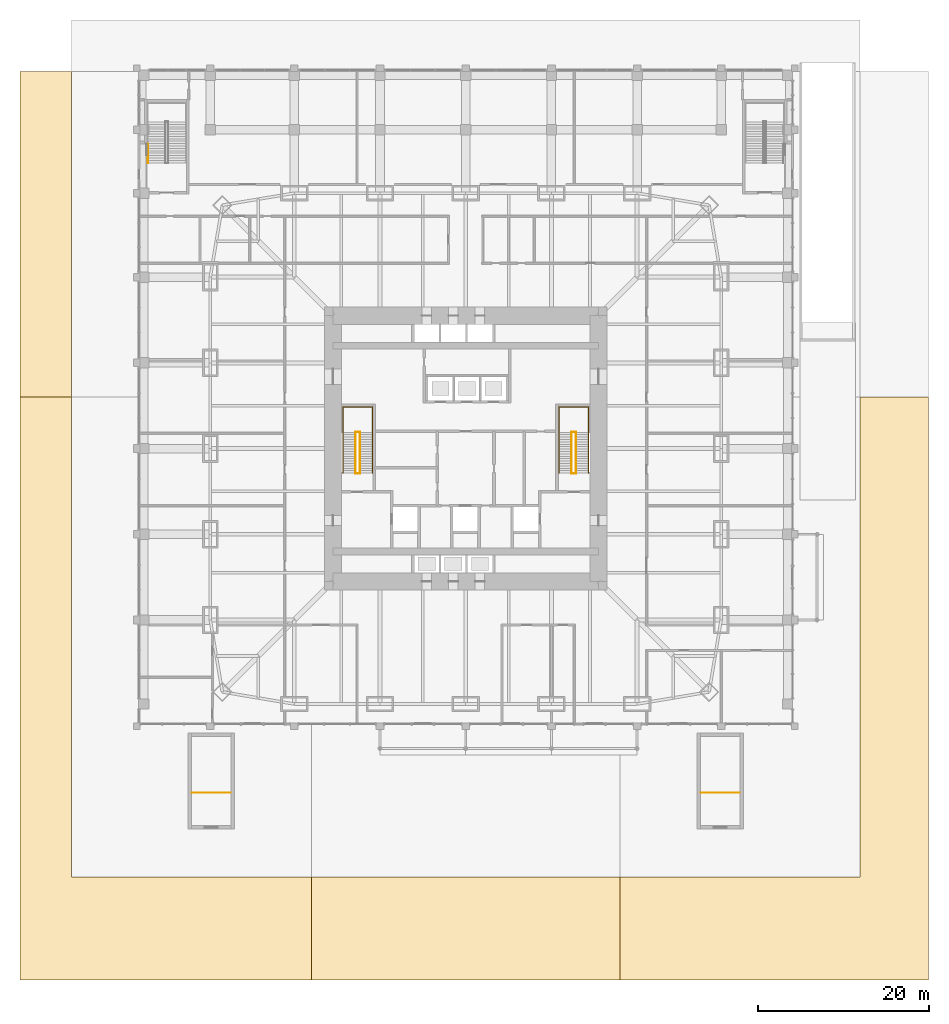
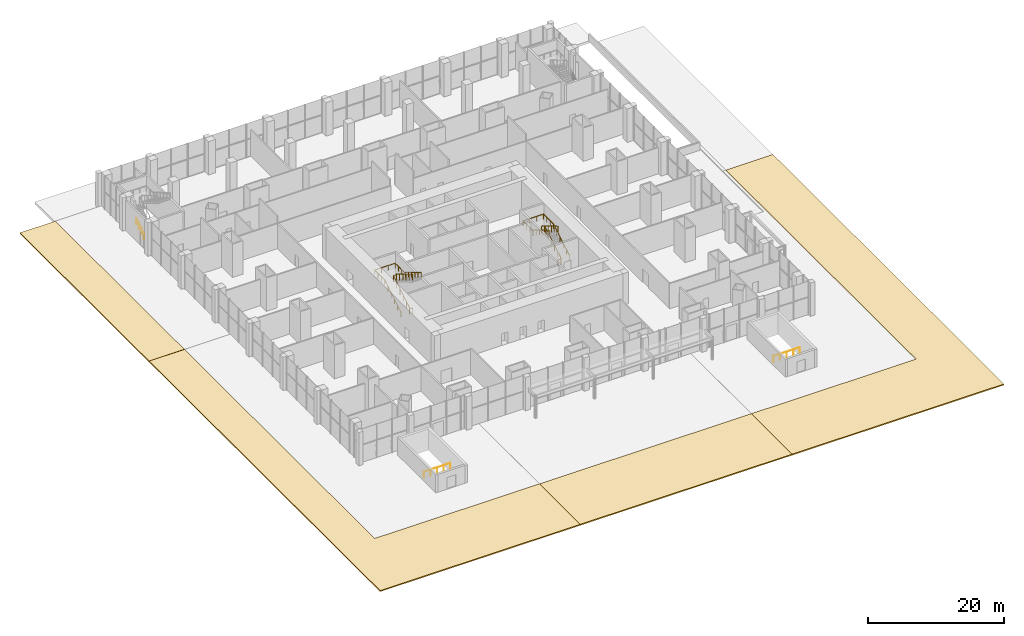
# One storey, part 29 of 31: 7 railings, 4 coverings.
"""IFC4 building model written with IfcOpenShell, lengths in metres."""

from ifc_helpers import new_model, si_unit, direction, frame, origin, origin_2d, place, context, subcontext, project, spatial, polyline, circle, outline, extrude, material, layer, layer_set, type_object, element, save


model = new_model("IFC4")

# Units and contexts
model_context = context("Model", 3, precision=1e-05, world=origin(), true_north=direction((0.0, 1.0)))
body_context = subcontext(model_context, "Body", "Model", "MODEL_VIEW")
ifc_project = project(units=[si_unit("LENGTHUNIT", "METRE"), si_unit("AREAUNIT", "SQUARE_METRE"), si_unit("VOLUMEUNIT", "CUBIC_METRE"), si_unit("PLANEANGLEUNIT", "RADIAN"), si_unit("MASSUNIT", "GRAM", prefix="KILO")], contexts=[model_context])

# Site, building, storey
site_placement = place(None, origin())
site = spatial("IfcSite", under=ifc_project, at=site_placement, CompositionType="ELEMENT")
building_placement = place(site_placement, origin())
building = spatial("IfcBuilding", under=site, at=building_placement, Name="Khuree Lantern Residences", CompositionType="ELEMENT")
storey_placement = place(building_placement, origin())
storey = spatial("IfcBuildingStorey", under=building, at=storey_placement, Name="L00", CompositionType="ELEMENT", Elevation=0.0)

# Coverings
ifc_material_1 = material(Name="Flamed granite setts on a bound sub-base", Category="masonry")
ifc_layer = layer(ifc_material_1, 0.199951171875)
ifc_layer_set = layer_set([ifc_layer], Name="PLAZA PAVING ON GRADE")
covering_type = type_object("IfcCoveringType", Name="PLAZA PAVING ON GRADE", PredefinedType="USERDEFINED", material=ifc_layer_set)
covering_1_placement = place(storey_placement, frame((0.0, 0.0, -0.199951171875)))
element("IfcCovering", 1, at=covering_1_placement, inside=storey, type_object=covering_type, Name="PLAZA PAVING BAY 7", ObjectType="PAVING", PredefinedType="USERDEFINED", context=body_context, shape_type="SweptSolid", body=[
    extrude(outline(polyline([(-17.9951171875, -62.0), (-17.9951171875, -50.0), (17.9951171875, -50.0), (17.9951171875, -62.0), (-17.9951171875, -62.0)])), origin(), (0.0, 0.0, 1.0), 0.199951171875),
])
covering_2_placement = place(storey_placement, frame((0.0, 0.0, -0.199951171875)))
element("IfcCovering", 2, at=covering_2_placement, inside=storey, type_object=covering_type, Name="PLAZA PAVING BAY 8", ObjectType="PAVING", PredefinedType="USERDEFINED", context=body_context, shape_type="SweptSolid", body=[
    extrude(outline(polyline([(-52.0, -62.0), (-52.0, 5.9951171875), (-46.0, 5.9951171875), (-46.0, -50.0), (-18.0048828125, -50.0), (-18.0048828125, -62.0), (-52.0, -62.0)])), origin(), (0.0, 0.0, 1.0), 0.199951171875),
])
covering_3_placement = place(storey_placement, frame((0.0, 0.0, -0.199951171875)))
element("IfcCovering", 3, at=covering_3_placement, inside=storey, type_object=covering_type, Name="PLAZA PAVING BAY 9", ObjectType="PAVING", PredefinedType="USERDEFINED", context=body_context, shape_type="SweptSolid", body=[
    extrude(outline(polyline([(54.0, 5.9951171875), (54.0, -62.0), (18.0048828125, -62.0), (18.0048828125, -50.0), (46.0, -50.0), (46.0, 5.9951171875), (54.0, 5.9951171875)])), origin(), (0.0, 0.0, 1.0), 0.199951171875),
])
covering_4_placement = place(storey_placement, frame((0.0, 0.0, -0.199951171875)))
element("IfcCovering", 4, at=covering_4_placement, inside=storey, type_object=covering_type, Name="PLAZA PAVING BAY 10", ObjectType="PAVING", PredefinedType="USERDEFINED", context=body_context, shape_type="SweptSolid", body=[
    extrude(outline(polyline([(-52.0, 44.0), (-46.0, 44.0), (-46.0, 6.0048828125), (-52.0, 6.0048828125), (-52.0, 44.0)])), origin(), (0.0, 0.0, 1.0), 0.199951171875),
])

# Railings
ifc_material_2 = material(Name="Steel S355", Category="steel")
railing_type_1 = type_object("IfcRailingType", Name="STAIR GUARD G1 1100", PredefinedType="GUARDRAIL", material=ifc_material_2)
railing_1_placement = place(storey_placement, frame((-12.35009765625, -2.909912109375, 0.0)))
element("IfcRailing", 5, at=railing_1_placement, inside=storey, type_object=railing_type_1, Name="Stair ST1 guard", PredefinedType="GUARDRAIL", context=body_context, shape_type="SweptSolid", body=[
    extrude(circle(Radius=0.02392578125, at=origin_2d()), frame((0.0, 0.0, 1.076171875), z_axis=(-1.0, 0.0, 0.0), x_axis=(0.0, -1.0, 0.0)), (0.0, 0.0, 1.0), 0.5),
    extrude(circle(Radius=0.02392578125, at=origin_2d()), frame((-0.5, 0.0, 1.076171875), z_axis=(0.0, 0.286189326841, 0.958173089375), x_axis=(-1.0, 0.0, 0.0)), (0.0, 0.0, 1.0), 0.174072265625),
    extrude(circle(Radius=0.02392578125, at=origin_2d()), frame((-0.5, 0.0498046875, 1.24267578125), z_axis=(0.0, 0.859299802514, 0.511472237174), x_axis=(-1.0, 0.0, 0.0)), (0.0, 0.0, 1.0), 5.539306640625),
    extrude(circle(Radius=0.02392578125, at=origin_2d()), frame((-0.5, 4.809814453125, 4.076171875), z_axis=(0.0, 1.0, 0.0), x_axis=(-1.0, 0.0, 0.0)), (0.0, 0.0, 1.0), 0.050048828125),
    extrude(circle(Radius=0.02392578125, at=origin_2d()), frame((-0.5, 4.85986328125, 4.076171875), z_axis=(1.0, 0.0, 0.0), x_axis=(0.0, 1.0, 0.0)), (0.0, 0.0, 1.0), 0.5),
    extrude(circle(Radius=0.02392578125, at=origin_2d()), frame((0.0, 4.85986328125, 4.076171875), z_axis=(0.0, -0.287476536604, 0.957787680492), x_axis=(1.0, 0.0, 0.0)), (0.0, 0.0, 1.0), 0.174072265625),
    extrude(circle(Radius=0.02392578125, at=origin_2d()), frame((0.0, 4.809814453125, 4.24267578125), z_axis=(0.0, -0.859299802514, 0.511472237174), x_axis=(1.0, 0.0, 0.0)), (0.0, 0.0, 1.0), 5.539306640625),
    extrude(circle(Radius=0.02099609375, at=origin_2d()), origin(), (0.0, 0.0, 1.0), 1.052001953125),
    extrude(circle(Radius=0.02099609375, at=origin_2d()), frame((-0.5, 0.0, 0.0)), (0.0, 0.0, 1.0), 1.052001953125),
    extrude(circle(Radius=0.02099609375, at=origin_2d()), frame((-0.5, 0.0498046875, 0.166748046875)), (0.0, 0.0, 1.0), 1.052001953125),
    extrude(circle(Radius=0.02099609375, at=origin_2d()), frame((-0.5, 1.001708984375, 0.7333984375)), (0.0, 0.0, 1.0), 1.052001953125),
    extrude(circle(Radius=0.02099609375, at=origin_2d()), frame((-0.5, 1.953857421875, 1.300048828125)), (0.0, 0.0, 1.0), 1.052001953125),
    extrude(circle(Radius=0.02099609375, at=origin_2d()), frame((-0.5, 2.90576171875, 1.86669921875)), (0.0, 0.0, 1.0), 1.052001953125),
    extrude(circle(Radius=0.02099609375, at=origin_2d()), frame((-0.5, 3.85791015625, 2.433349609375)), (0.0, 0.0, 1.0), 1.052001953125),
    extrude(circle(Radius=0.02099609375, at=origin_2d()), frame((-0.5, 4.809814453125, 3.0)), (0.0, 0.0, 1.0), 1.052001953125),
    extrude(circle(Radius=0.02099609375, at=origin_2d()), frame((-0.5, 4.85986328125, 3.0)), (0.0, 0.0, 1.0), 1.052001953125),
    extrude(circle(Radius=0.02099609375, at=origin_2d()), frame((0.0, 4.85986328125, 3.0)), (0.0, 0.0, 1.0), 1.052001953125),
    extrude(circle(Radius=0.02099609375, at=origin_2d()), frame((0.0, 4.809814453125, 3.166748046875)), (0.0, 0.0, 1.0), 1.052001953125),
    extrude(circle(Radius=0.02099609375, at=origin_2d()), frame((0.0, 3.85791015625, 3.7333984375)), (0.0, 0.0, 1.0), 1.052001953125),
    extrude(circle(Radius=0.02099609375, at=origin_2d()), frame((0.0, 2.90576171875, 4.300048828125)), (0.0, 0.0, 1.0), 1.052001953125),
    extrude(circle(Radius=0.02099609375, at=origin_2d()), frame((0.0, 1.953857421875, 4.86669921875)), (0.0, 0.0, 1.0), 1.052001953125),
    extrude(circle(Radius=0.02099609375, at=origin_2d()), frame((0.0, 1.001708984375, 5.433349609375)), (0.0, 0.0, 1.0), 1.052001953125),
    extrude(circle(Radius=0.02099609375, at=origin_2d()), frame((0.0, 0.0498046875, 6.0)), (0.0, 0.0, 1.0), 1.052001953125),
])
railing_2_placement = place(storey_placement, frame((12.35009765625, -2.909912109375, 0.0)))
element("IfcRailing", 6, at=railing_2_placement, inside=storey, type_object=railing_type_1, Name="Stair ST2 guard", PredefinedType="GUARDRAIL", context=body_context, shape_type="SweptSolid", body=[
    extrude(circle(Radius=0.02392578125, at=origin_2d()), frame((0.0, 0.0, 1.076171875), z_axis=(1.0, 0.0, 0.0), x_axis=(0.0, 1.0, 0.0)), (0.0, 0.0, 1.0), 0.5),
    extrude(circle(Radius=0.02392578125, at=origin_2d()), frame((0.5, 0.0, 1.076171875), z_axis=(0.0, 0.286189326841, 0.958173089375), x_axis=(-1.0, 0.0, 0.0)), (0.0, 0.0, 1.0), 0.174072265625),
    extrude(circle(Radius=0.02392578125, at=origin_2d()), frame((0.5, 0.0498046875, 1.24267578125), z_axis=(0.0, 0.859299802514, 0.511472237174), x_axis=(-1.0, 0.0, 0.0)), (0.0, 0.0, 1.0), 5.539306640625),
    extrude(circle(Radius=0.02392578125, at=origin_2d()), frame((0.5, 4.809814453125, 4.076171875), z_axis=(0.0, 1.0, 0.0), x_axis=(-1.0, 0.0, 0.0)), (0.0, 0.0, 1.0), 0.050048828125),
    extrude(circle(Radius=0.02392578125, at=origin_2d()), frame((0.5, 4.85986328125, 4.076171875), z_axis=(-1.0, 0.0, 0.0), x_axis=(0.0, -1.0, 0.0)), (0.0, 0.0, 1.0), 0.5),
    extrude(circle(Radius=0.02392578125, at=origin_2d()), frame((0.0, 4.85986328125, 4.076171875), z_axis=(0.0, -0.287476536604, 0.957787680492), x_axis=(1.0, 0.0, 0.0)), (0.0, 0.0, 1.0), 0.174072265625),
    extrude(circle(Radius=0.02392578125, at=origin_2d()), frame((0.0, 4.809814453125, 4.24267578125), z_axis=(0.0, -0.859299802514, 0.511472237174), x_axis=(1.0, 0.0, 0.0)), (0.0, 0.0, 1.0), 5.539306640625),
    extrude(circle(Radius=0.02099609375, at=origin_2d()), origin(), (0.0, 0.0, 1.0), 1.052001953125),
    extrude(circle(Radius=0.02099609375, at=origin_2d()), frame((0.5, 0.0, 0.0)), (0.0, 0.0, 1.0), 1.052001953125),
    extrude(circle(Radius=0.02099609375, at=origin_2d()), frame((0.5, 0.0498046875, 0.166748046875)), (0.0, 0.0, 1.0), 1.052001953125),
    extrude(circle(Radius=0.02099609375, at=origin_2d()), frame((0.5, 1.001708984375, 0.7333984375)), (0.0, 0.0, 1.0), 1.052001953125),
    extrude(circle(Radius=0.02099609375, at=origin_2d()), frame((0.5, 1.953857421875, 1.300048828125)), (0.0, 0.0, 1.0), 1.052001953125),
    extrude(circle(Radius=0.02099609375, at=origin_2d()), frame((0.5, 2.90576171875, 1.86669921875)), (0.0, 0.0, 1.0), 1.052001953125),
    extrude(circle(Radius=0.02099609375, at=origin_2d()), frame((0.5, 3.85791015625, 2.433349609375)), (0.0, 0.0, 1.0), 1.052001953125),
    extrude(circle(Radius=0.02099609375, at=origin_2d()), frame((0.5, 4.809814453125, 3.0)), (0.0, 0.0, 1.0), 1.052001953125),
    extrude(circle(Radius=0.02099609375, at=origin_2d()), frame((0.5, 4.85986328125, 3.0)), (0.0, 0.0, 1.0), 1.052001953125),
    extrude(circle(Radius=0.02099609375, at=origin_2d()), frame((0.0, 4.85986328125, 3.0)), (0.0, 0.0, 1.0), 1.052001953125),
    extrude(circle(Radius=0.02099609375, at=origin_2d()), frame((0.0, 4.809814453125, 3.166748046875)), (0.0, 0.0, 1.0), 1.052001953125),
    extrude(circle(Radius=0.02099609375, at=origin_2d()), frame((0.0, 3.85791015625, 3.7333984375)), (0.0, 0.0, 1.0), 1.052001953125),
    extrude(circle(Radius=0.02099609375, at=origin_2d()), frame((0.0, 2.90576171875, 4.300048828125)), (0.0, 0.0, 1.0), 1.052001953125),
    extrude(circle(Radius=0.02099609375, at=origin_2d()), frame((0.0, 1.953857421875, 4.86669921875)), (0.0, 0.0, 1.0), 1.052001953125),
    extrude(circle(Radius=0.02099609375, at=origin_2d()), frame((0.0, 1.001708984375, 5.433349609375)), (0.0, 0.0, 1.0), 1.052001953125),
    extrude(circle(Radius=0.02099609375, at=origin_2d()), frame((0.0, 0.0498046875, 6.0)), (0.0, 0.0, 1.0), 1.052001953125),
])
for number, where, name in (
    (7, (-31.949951171875, -40.14990234375, 0.0), "Stair ST5 top guard"),
    (8, (27.449951171875, -40.14990234375, 0.0), "Stair ST6 top guard"),
):
    element("IfcRailing", number, at=place(storey_placement, frame(where)), inside=storey, type_object=railing_type_1, Name=name, PredefinedType="GUARDRAIL", context=body_context, shape_type="SweptSolid", body=[
        extrude(circle(Radius=0.02392578125, at=origin_2d()), frame((0.0, 0.0, 1.076171875), z_axis=(1.0, 0.0, 0.0), x_axis=(0.0, 1.0, 0.0)), (0.0, 0.0, 1.0), 4.5),
        extrude(circle(Radius=0.02099609375, at=origin_2d()), origin(), (0.0, 0.0, 1.0), 1.052001953125),
        extrude(circle(Radius=0.02099609375, at=origin_2d()), frame((1.125, 0.0, 0.0)), (0.0, 0.0, 1.0), 1.052001953125),
        extrude(circle(Radius=0.02099609375, at=origin_2d()), frame((2.25, 0.0, 0.0)), (0.0, 0.0, 1.0), 1.052001953125),
        extrude(circle(Radius=0.02099609375, at=origin_2d()), frame((3.375, 0.0, 0.0)), (0.0, 0.0, 1.0), 1.052001953125),
        extrude(circle(Radius=0.02099609375, at=origin_2d()), frame((4.5, 0.0, 0.0)), (0.0, 0.0, 1.0), 1.052001953125),
    ])
railing_3_placement = place(storey_placement, frame((-37.080078125, 33.2900390625, 0.0)))
element("IfcRailing", 9, at=railing_3_placement, inside=storey, type_object=railing_type_1, Name="Stair ST3 flight edge guard", PredefinedType="GUARDRAIL", context=body_context, shape_type="SweptSolid", body=[
    extrude(circle(Radius=0.02392578125, at=origin_2d()), frame((0.0, 0.0, 1.076171875), z_axis=(0.0, 0.287476536604, 0.957787680492), x_axis=(-1.0, 0.0, 0.0)), (0.0, 0.0, 1.0), 0.174072265625),
    extrude(circle(Radius=0.02392578125, at=origin_2d()), frame((0.0, 0.050048828125, 1.24267578125), z_axis=(0.0, 0.859274887894, 0.511514092704), x_axis=(-1.0, 0.0, 0.0)), (0.0, 0.0, 1.0), 2.555419921875),
    extrude(circle(Radius=0.02099609375, at=origin_2d()), origin(), (0.0, 0.0, 1.0), 1.052001953125),
    extrude(circle(Radius=0.02099609375, at=origin_2d()), frame((0.0, 0.050048828125, 0.166748046875)), (0.0, 0.0, 1.0), 1.052001953125),
    extrude(circle(Radius=0.02099609375, at=origin_2d()), frame((0.0, 0.781982421875, 0.6025390625)), (0.0, 0.0, 1.0), 1.052001953125),
    extrude(circle(Radius=0.02099609375, at=origin_2d()), frame((0.0, 1.513916015625, 1.0380859375)), (0.0, 0.0, 1.0), 1.052001953125),
    extrude(circle(Radius=0.02099609375, at=origin_2d()), frame((0.0, 2.245849609375, 1.473876953125)), (0.0, 0.0, 1.0), 1.052001953125),
])
railing_type_2 = type_object("IfcRailingType", Name="STAIR HANDRAIL H1 900", PredefinedType="HANDRAIL", material=ifc_material_2)
railing_4_placement = place(storey_placement, frame((-14.340087890625, -2.860107421875, 0.166748046875)))
element("IfcRailing", 10, at=railing_4_placement, inside=storey, type_object=railing_type_2, Name="Stair ST1 handrail", PredefinedType="HANDRAIL", context=body_context, shape_type="SweptSolid", body=[
    extrude(circle(Radius=0.02392578125, at=origin_2d()), frame((0.0, 0.0, 0.8759765625), z_axis=(0.0, 0.859299802514, 0.511472237174), x_axis=(-1.0, 0.0, 0.0)), (0.0, 0.0, 1.0), 5.539306640625),
    extrude(circle(Radius=0.02392578125, at=origin_2d()), frame((0.0, 4.760009765625, 3.708984375), z_axis=(0.0, 1.0, 0.0), x_axis=(-1.0, 0.0, 0.0)), (0.0, 0.0, 1.0), 2.940185546875),
    extrude(circle(Radius=0.02392578125, at=origin_2d()), frame((0.0, 7.7001953125, 3.708984375), z_axis=(1.0, 0.0, 0.0), x_axis=(0.0, 1.0, 0.0)), (0.0, 0.0, 1.0), 3.47998046875),
    extrude(circle(Radius=0.02392578125, at=origin_2d()), frame((3.47998046875, 7.7001953125, 3.708984375), z_axis=(0.0, -1.0, 0.0), x_axis=(1.0, 0.0, 0.0)), (0.0, 0.0, 1.0), 2.940185546875),
    extrude(circle(Radius=0.02392578125, at=origin_2d()), frame((3.47998046875, 4.760009765625, 3.708984375), z_axis=(0.0, 0.0, 1.0), x_axis=(1.0, 0.0, 0.0)), (0.0, 0.0, 1.0), 0.166748046875),
    extrude(circle(Radius=0.02392578125, at=origin_2d()), frame((3.47998046875, 4.760009765625, 3.8759765625), z_axis=(0.0, -0.859299802514, 0.511472237174), x_axis=(1.0, 0.0, 0.0)), (0.0, 0.0, 1.0), 5.539306640625),
    extrude(circle(Radius=0.02099609375, at=origin_2d()), origin(), (0.0, 0.0, 1.0), 0.851806640625),
    extrude(circle(Radius=0.02099609375, at=origin_2d()), frame((0.0, 0.951904296875, 0.566650390625)), (0.0, 0.0, 1.0), 0.851806640625),
    extrude(circle(Radius=0.02099609375, at=origin_2d()), frame((0.0, 1.904052734375, 1.13330078125)), (0.0, 0.0, 1.0), 0.851806640625),
    extrude(circle(Radius=0.02099609375, at=origin_2d()), frame((0.0, 2.85595703125, 1.699951171875)), (0.0, 0.0, 1.0), 0.851806640625),
    extrude(circle(Radius=0.02099609375, at=origin_2d()), frame((0.0, 3.80810546875, 2.2666015625)), (0.0, 0.0, 1.0), 0.851806640625),
    extrude(circle(Radius=0.02099609375, at=origin_2d()), frame((0.0, 4.760009765625, 2.833251953125)), (0.0, 0.0, 1.0), 0.851806640625),
    extrude(circle(Radius=0.02099609375, at=origin_2d()), frame((0.0, 5.739990234375, 2.833251953125)), (0.0, 0.0, 1.0), 0.851806640625),
    extrude(circle(Radius=0.02099609375, at=origin_2d()), frame((0.0, 6.72021484375, 2.833251953125)), (0.0, 0.0, 1.0), 0.851806640625),
    extrude(circle(Radius=0.02099609375, at=origin_2d()), frame((0.0, 7.7001953125, 2.833251953125)), (0.0, 0.0, 1.0), 0.851806640625),
    extrude(circle(Radius=0.02099609375, at=origin_2d()), frame((1.159912109375, 7.7001953125, 2.833251953125)), (0.0, 0.0, 1.0), 0.851806640625),
    extrude(circle(Radius=0.02099609375, at=origin_2d()), frame((2.320068359375, 7.7001953125, 2.833251953125)), (0.0, 0.0, 1.0), 0.851806640625),
    extrude(circle(Radius=0.02099609375, at=origin_2d()), frame((3.47998046875, 7.7001953125, 2.833251953125)), (0.0, 0.0, 1.0), 0.851806640625),
    extrude(circle(Radius=0.02099609375, at=origin_2d()), frame((3.47998046875, 6.72021484375, 2.833251953125)), (0.0, 0.0, 1.0), 0.851806640625),
    extrude(circle(Radius=0.02099609375, at=origin_2d()), frame((3.47998046875, 5.739990234375, 2.833251953125)), (0.0, 0.0, 1.0), 0.851806640625),
    extrude(circle(Radius=0.02099609375, at=origin_2d()), frame((3.47998046875, 4.760009765625, 2.833251953125)), (0.0, 0.0, 1.0), 0.851806640625),
    extrude(circle(Radius=0.02099609375, at=origin_2d()), frame((3.47998046875, 4.760009765625, 3.0)), (0.0, 0.0, 1.0), 0.851806640625),
    extrude(circle(Radius=0.02099609375, at=origin_2d()), frame((3.47998046875, 3.80810546875, 3.566650390625)), (0.0, 0.0, 1.0), 0.851806640625),
    extrude(circle(Radius=0.02099609375, at=origin_2d()), frame((3.47998046875, 2.85595703125, 4.13330078125)), (0.0, 0.0, 1.0), 0.851806640625),
    extrude(circle(Radius=0.02099609375, at=origin_2d()), frame((3.47998046875, 1.904052734375, 4.699951171875)), (0.0, 0.0, 1.0), 0.851806640625),
    extrude(circle(Radius=0.02099609375, at=origin_2d()), frame((3.47998046875, 0.951904296875, 5.2666015625)), (0.0, 0.0, 1.0), 0.851806640625),
    extrude(circle(Radius=0.02099609375, at=origin_2d()), frame((3.47998046875, 0.0, 5.833251953125)), (0.0, 0.0, 1.0), 0.851806640625),
])
railing_5_placement = place(storey_placement, frame((14.340087890625, -2.860107421875, 0.166748046875)))
element("IfcRailing", 11, at=railing_5_placement, inside=storey, type_object=railing_type_2, Name="Stair ST2 handrail", PredefinedType="HANDRAIL", context=body_context, shape_type="SweptSolid", body=[
    extrude(circle(Radius=0.02392578125, at=origin_2d()), frame((0.0, 0.0, 0.8759765625), z_axis=(0.0, 0.859299802514, 0.511472237174), x_axis=(-1.0, 0.0, 0.0)), (0.0, 0.0, 1.0), 5.539306640625),
    extrude(circle(Radius=0.02392578125, at=origin_2d()), frame((0.0, 4.760009765625, 3.708984375), z_axis=(0.0, 1.0, 0.0), x_axis=(-1.0, 0.0, 0.0)), (0.0, 0.0, 1.0), 2.940185546875),
    extrude(circle(Radius=0.02392578125, at=origin_2d()), frame((0.0, 7.7001953125, 3.708984375), z_axis=(-1.0, 0.0, 0.0), x_axis=(0.0, -1.0, 0.0)), (0.0, 0.0, 1.0), 3.47998046875),
    extrude(circle(Radius=0.02392578125, at=origin_2d()), frame((-3.47998046875, 7.7001953125, 3.708984375), z_axis=(0.0, -1.0, 0.0), x_axis=(1.0, 0.0, 0.0)), (0.0, 0.0, 1.0), 2.940185546875),
    extrude(circle(Radius=0.02392578125, at=origin_2d()), frame((-3.47998046875, 4.760009765625, 3.708984375), z_axis=(0.0, 0.0, 1.0), x_axis=(1.0, 0.0, 0.0)), (0.0, 0.0, 1.0), 0.166748046875),
    extrude(circle(Radius=0.02392578125, at=origin_2d()), frame((-3.47998046875, 4.760009765625, 3.8759765625), z_axis=(0.0, -0.859299802514, 0.511472237174), x_axis=(1.0, 0.0, 0.0)), (0.0, 0.0, 1.0), 5.539306640625),
    extrude(circle(Radius=0.02099609375, at=origin_2d()), origin(), (0.0, 0.0, 1.0), 0.851806640625),
    extrude(circle(Radius=0.02099609375, at=origin_2d()), frame((0.0, 0.951904296875, 0.566650390625)), (0.0, 0.0, 1.0), 0.851806640625),
    extrude(circle(Radius=0.02099609375, at=origin_2d()), frame((0.0, 1.904052734375, 1.13330078125)), (0.0, 0.0, 1.0), 0.851806640625),
    extrude(circle(Radius=0.02099609375, at=origin_2d()), frame((0.0, 2.85595703125, 1.699951171875)), (0.0, 0.0, 1.0), 0.851806640625),
    extrude(circle(Radius=0.02099609375, at=origin_2d()), frame((0.0, 3.80810546875, 2.2666015625)), (0.0, 0.0, 1.0), 0.851806640625),
    extrude(circle(Radius=0.02099609375, at=origin_2d()), frame((0.0, 4.760009765625, 2.833251953125)), (0.0, 0.0, 1.0), 0.851806640625),
    extrude(circle(Radius=0.02099609375, at=origin_2d()), frame((0.0, 5.739990234375, 2.833251953125)), (0.0, 0.0, 1.0), 0.851806640625),
    extrude(circle(Radius=0.02099609375, at=origin_2d()), frame((0.0, 6.72021484375, 2.833251953125)), (0.0, 0.0, 1.0), 0.851806640625),
    extrude(circle(Radius=0.02099609375, at=origin_2d()), frame((0.0, 7.7001953125, 2.833251953125)), (0.0, 0.0, 1.0), 0.851806640625),
    extrude(circle(Radius=0.02099609375, at=origin_2d()), frame((-1.159912109375, 7.7001953125, 2.833251953125)), (0.0, 0.0, 1.0), 0.851806640625),
    extrude(circle(Radius=0.02099609375, at=origin_2d()), frame((-2.320068359375, 7.7001953125, 2.833251953125)), (0.0, 0.0, 1.0), 0.851806640625),
    extrude(circle(Radius=0.02099609375, at=origin_2d()), frame((-3.47998046875, 7.7001953125, 2.833251953125)), (0.0, 0.0, 1.0), 0.851806640625),
    extrude(circle(Radius=0.02099609375, at=origin_2d()), frame((-3.47998046875, 6.72021484375, 2.833251953125)), (0.0, 0.0, 1.0), 0.851806640625),
    extrude(circle(Radius=0.02099609375, at=origin_2d()), frame((-3.47998046875, 5.739990234375, 2.833251953125)), (0.0, 0.0, 1.0), 0.851806640625),
    extrude(circle(Radius=0.02099609375, at=origin_2d()), frame((-3.47998046875, 4.760009765625, 2.833251953125)), (0.0, 0.0, 1.0), 0.851806640625),
    extrude(circle(Radius=0.02099609375, at=origin_2d()), frame((-3.47998046875, 4.760009765625, 3.0)), (0.0, 0.0, 1.0), 0.851806640625),
    extrude(circle(Radius=0.02099609375, at=origin_2d()), frame((-3.47998046875, 3.80810546875, 3.566650390625)), (0.0, 0.0, 1.0), 0.851806640625),
    extrude(circle(Radius=0.02099609375, at=origin_2d()), frame((-3.47998046875, 2.85595703125, 4.13330078125)), (0.0, 0.0, 1.0), 0.851806640625),
    extrude(circle(Radius=0.02099609375, at=origin_2d()), frame((-3.47998046875, 1.904052734375, 4.699951171875)), (0.0, 0.0, 1.0), 0.851806640625),
    extrude(circle(Radius=0.02099609375, at=origin_2d()), frame((-3.47998046875, 0.951904296875, 5.2666015625)), (0.0, 0.0, 1.0), 0.851806640625),
    extrude(circle(Radius=0.02099609375, at=origin_2d()), frame((-3.47998046875, 0.0, 5.833251953125)), (0.0, 0.0, 1.0), 0.851806640625),
])

save(model, "model.ifc")
